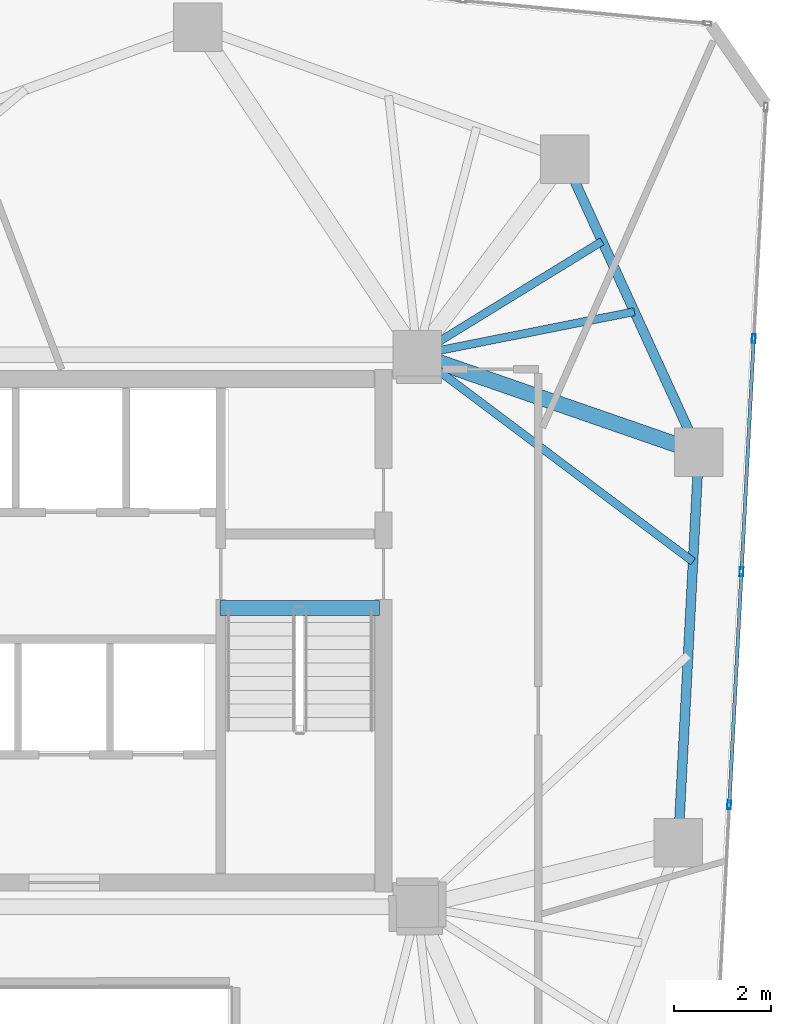
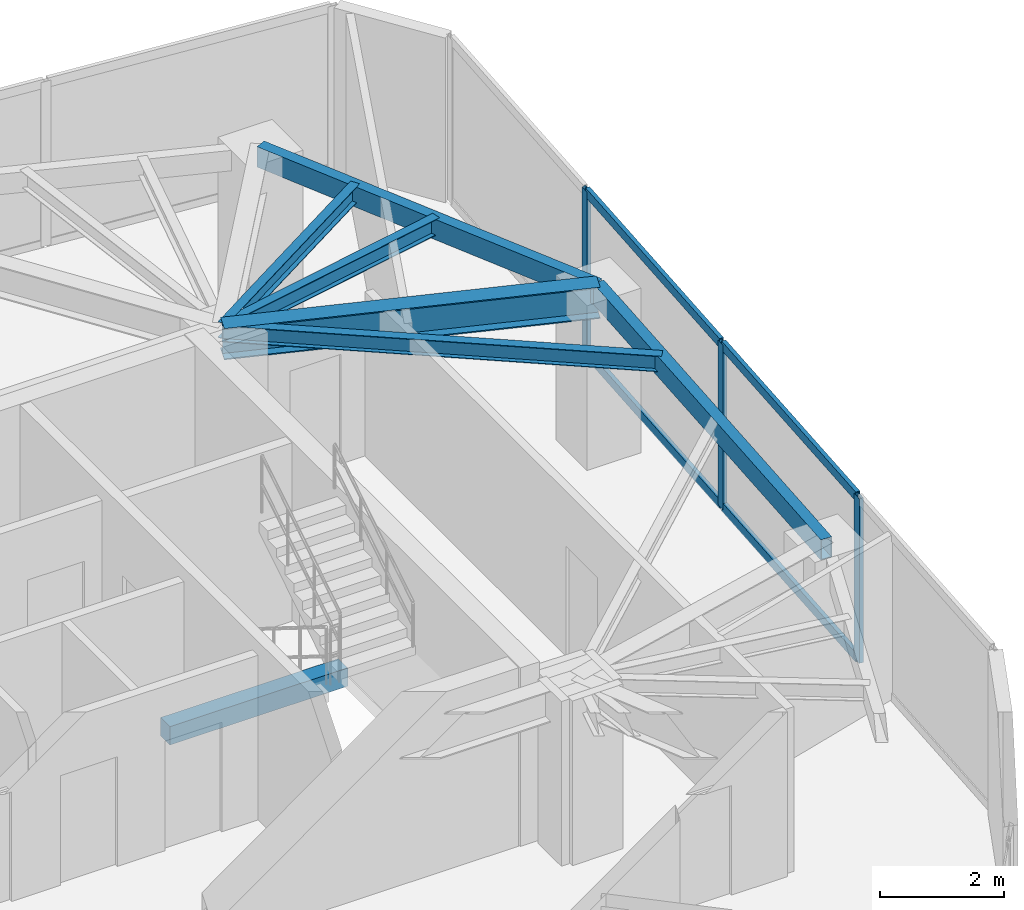
# One storey, part 11 of 19: 7 beams, 7 members, 1 element without a shape of its own.
"""IFC4 building model written with IfcOpenShell, lengths in metres."""

import ifcopenshell
import ifcopenshell.guid

model = None  # the IFC model being written
_history = None  # IfcOwnerHistory: only IFC2X3 demands one
_inside = {}  # id of a spatial element -> (the spatial element, [elements in it])
_under = {}  # id of a project, library or spatial element -> (it, [spatial elements below it])
_declared = {}  # id of a project -> (the project, [libraries it declares])
_typed = {}  # id of a type object -> (the type object, [elements of that type])
_made_of = {}  # id of a material, layer set ... -> (it, [elements and type objects made of it])


def new_model(schema):
    """Start an empty IFC model of exactly this schema.

    Asked for "IFC4X3", IfcOpenShell would pick the latest addendum, in which some entities
    have other attributes; the version numbers below select the first issue.
    IFC2X3 requires an IfcOwnerHistory on every rooted entity: one is made here for all.
    """
    global model, _history
    if schema == "IFC4X3":
        model = ifcopenshell.file(schema_version=(4, 3, 0, 0))
    else:
        model = ifcopenshell.file(schema=schema)
    _inside.clear()
    _under.clear()
    _declared.clear()
    _typed.clear()
    _made_of.clear()
    _history = None
    if model.schema == "IFC2X3":
        org = make("IfcOrganization", Name="unknown")
        user = make(
            "IfcPersonAndOrganization",
            ThePerson=make("IfcPerson", FamilyName="unknown"),
            TheOrganization=org,
        )
        app = make(
            "IfcApplication",
            ApplicationDeveloper=org,
            Version="unknown",
            ApplicationFullName="unknown",
            ApplicationIdentifier="unknown",
        )
        _history = make(
            "IfcOwnerHistory",
            OwningUser=user,
            OwningApplication=app,
            ChangeAction="ADDED",
            CreationDate=0,
        )
    return model


def make(cls, **values):
    """One entity of the class cls with the attributes given. An attribute that is None is left unset."""
    return model.create_entity(
        cls, **{name: value for name, value in values.items() if value is not None}
    )


def rooted(cls, **values):
    """An entity with a GlobalId (a new one), such as an element, a storey or a relation."""
    return make(cls, GlobalId=ifcopenshell.guid.new(), OwnerHistory=_history, **values)


def si_unit(unit_type, name, prefix=None):
    """IfcSIUnit, for example si_unit("LENGTHUNIT", "METRE", prefix="MILLI")."""
    return make("IfcSIUnit", UnitType=unit_type, Prefix=prefix, Name=name)


def assignment(units):
    """IfcUnitAssignment: the units of a project."""
    return None if units is None else make("IfcUnitAssignment", Units=units)


def point(xyz):
    """IfcCartesianPoint."""
    return None if xyz is None else make("IfcCartesianPoint", Coordinates=xyz)


def direction(xyz):
    """IfcDirection."""
    return None if xyz is None else make("IfcDirection", DirectionRatios=xyz)


def frame(location, z_axis=None, x_axis=None):
    """IfcAxis2Placement3D, a coordinate frame: its origin and axes. An axis left out is left unset."""
    return make(
        "IfcAxis2Placement3D",
        Location=point(location),
        Axis=direction(z_axis),
        RefDirection=direction(x_axis),
    )


def frame_2d(location, x_axis=None):
    """IfcAxis2Placement2D, a coordinate frame in the plane: its origin and x axis."""
    return make(
        "IfcAxis2Placement2D", Location=point(location), RefDirection=direction(x_axis)
    )


def origin():
    """The frame at (0, 0, 0) with its axes left unset."""
    return frame((0.0, 0.0, 0.0))


def origin_2d():
    """The frame at (0, 0) in the plane with its x axis left unset."""
    return frame_2d((0.0, 0.0))


def place(relative_to, where):
    """IfcLocalPlacement: puts the frame where relative to a parent placement (None: the world)."""
    return make(
        "IfcLocalPlacement", PlacementRelTo=relative_to, RelativePlacement=where
    )


def context(
    kind, dimensions, precision=None, world=None, true_north=None, identifier=None
):
    """IfcGeometricRepresentationContext, for example the 3D "Model" context."""
    return make(
        "IfcGeometricRepresentationContext",
        ContextIdentifier=identifier,
        ContextType=kind,
        CoordinateSpaceDimension=dimensions,
        Precision=precision,
        WorldCoordinateSystem=world,
        TrueNorth=true_north,
    )


def subcontext(parent, identifier, kind, view, scale=None):
    """IfcGeometricRepresentationSubContext, for example "Body" below "Model"."""
    return make(
        "IfcGeometricRepresentationSubContext",
        ContextIdentifier=identifier,
        ContextType=kind,
        ParentContext=parent,
        TargetScale=scale,
        TargetView=view,
    )


def project(units=None, contexts=None):
    """IfcProject with its units and contexts."""
    return rooted(
        "IfcProject",
        Name="project",
        RepresentationContexts=contexts,
        UnitsInContext=assignment(units),
    )


def spatial(cls, under=None, at=None, **own):
    """A site, building, storey or space (cls), placed at a placement, below another one or the project."""
    s = rooted(cls, ObjectPlacement=at, **own)
    if under is not None:
        _under.setdefault(under.id(), (under, []))[1].append(s)
    return s


def profile(cls, at=None, kind="AREA", **sizes):
    """A parametric profile (cls). Its sizes go by their IFC names, for example OverallWidth=200.0."""
    return make(cls, ProfileType=kind, Position=at, **sizes)


def rectangle(**sizes):
    """IfcRectangleProfileDef."""
    return profile("IfcRectangleProfileDef", **sizes)


def hollow_rectangle(**sizes):
    """IfcRectangleHollowProfileDef."""
    return profile("IfcRectangleHollowProfileDef", **sizes)


def i_section(**sizes):
    """IfcIShapeProfileDef."""
    return profile("IfcIShapeProfileDef", **sizes)


def extrude(swept, where, along, depth):
    """IfcExtrudedAreaSolid: the profile swept, set in the frame where, extruded along a direction by depth."""
    return make(
        "IfcExtrudedAreaSolid",
        SweptArea=swept,
        Position=where,
        ExtrudedDirection=direction(along),
        Depth=depth,
    )


def shape(context_of_items, identifier, shape_type, items):
    """IfcShapeRepresentation: the items that make up one representation, for example the "Body"."""
    return make(
        "IfcShapeRepresentation",
        ContextOfItems=context_of_items,
        RepresentationIdentifier=identifier,
        RepresentationType=shape_type,
        Items=items,
    )


def source(mapping_origin, context_of_items, identifier, shape_type, items):
    """IfcRepresentationMap: a shape defined once, which mapped items show again and again."""
    return make(
        "IfcRepresentationMap",
        MappingOrigin=mapping_origin,
        MappedRepresentation=shape(context_of_items, identifier, shape_type, items),
    )


def transform(
    local_origin,
    x_axis=None,
    y_axis=None,
    z_axis=None,
    scale=None,
    scale2=None,
    scale3=None,
    uniform=True,
):
    """IfcCartesianTransformationOperator3D, or its non-uniform kind. x_axis, y_axis, z_axis: its Axis1, 2, 3."""
    if uniform:
        return make(
            "IfcCartesianTransformationOperator3D",
            Axis1=direction(x_axis),
            Axis2=direction(y_axis),
            LocalOrigin=point(local_origin),
            Scale=scale,
            Axis3=direction(z_axis),
        )
    return make(
        "IfcCartesianTransformationOperator3DnonUniform",
        Axis1=direction(x_axis),
        Axis2=direction(y_axis),
        LocalOrigin=point(local_origin),
        Scale=scale,
        Axis3=direction(z_axis),
        Scale2=scale2,
        Scale3=scale3,
    )


def mapped(mapping_source, mapping_target):
    """IfcMappedItem: shows the shape of a source again, moved by a transform."""
    return make(
        "IfcMappedItem", MappingSource=mapping_source, MappingTarget=mapping_target
    )


def material(Name=None, Category=None):
    """IfcMaterial."""
    return make("IfcMaterial", Name=Name, Category=Category)


def layer(
    of_material, thickness, ventilated=None, Name=None, Category=None, Priority=None
):
    """IfcMaterialLayer: one layer of a wall or slab, of a material (None: an air gap)."""
    return make(
        "IfcMaterialLayer",
        Material=of_material,
        LayerThickness=thickness,
        IsVentilated=ventilated,
        Name=Name,
        Category=Category,
        Priority=Priority,
    )


def layer_set(layers, Name=None):
    """IfcMaterialLayerSet."""
    return make("IfcMaterialLayerSet", MaterialLayers=layers, LayerSetName=Name)


def material_profile(
    of_material, cross_section, Name=None, Category=None, Priority=None
):
    """IfcMaterialProfile: a cross section and its material."""
    return make(
        "IfcMaterialProfile",
        Name=Name,
        Material=of_material,
        Profile=cross_section,
        Priority=Priority,
        Category=Category,
    )


def profile_set(profiles, Name=None, composite=None):
    """IfcMaterialProfileSet."""
    return make(
        "IfcMaterialProfileSet",
        Name=Name,
        MaterialProfiles=profiles,
        CompositeProfile=composite,
    )


def made_of(thing, what):
    """Note that an element or type object is made of a material, layer set ...; save() writes the relation."""
    if what is not None:
        _made_of.setdefault(what.id(), (what, []))[1].append(thing)
    return thing


def type_object(cls, material=None, **own):
    """A type object (cls), such as IfcWallType, which elements share."""
    return made_of(rooted(cls, **own), material)


def type_shapes(of_type, sources):
    """Give a type object the sources (RepresentationMaps) that its elements show as mapped items."""
    of_type.RepresentationMaps = sources


def element(
    cls,
    number,
    at=None,
    inside=None,
    cuts=None,
    type_object=None,
    material=None,
    context=None,
    identifier="Body",
    shape_type=None,
    held_by="IfcProductDefinitionShape",
    body=None,
    shapes=None,
    **own,
):
    """One element of the class cls, such as IfcWall. Its Tag is "e" and its number.

    at: its placement. inside: the storey or other place that contains it. cuts: it is an
    opening in that element (IfcRelVoidsElement). A single representation is given by context,
    identifier, shape_type and body (its items); several are given by shapes. held_by: the class
    of the entity that holds the representations. save() writes the other relations.
    """
    e = rooted(cls, Tag="e%d" % number, ObjectPlacement=at, **own)
    if body is not None:
        shapes = [shape(context, identifier, shape_type, body)]
    if shapes is not None:
        e.Representation = make(held_by, Representations=shapes)
    if inside is not None:
        _inside.setdefault(inside.id(), (inside, []))[1].append(e)
    if cuts is not None:
        rooted(
            "IfcRelVoidsElement", RelatingBuildingElement=cuts, RelatedOpeningElement=e
        )
    if type_object is not None:
        _typed.setdefault(type_object.id(), (type_object, []))[1].append(e)
    return made_of(e, material)


def aggregate(whole, parts):
    """IfcRelAggregates: a whole, such as a stair, and the parts it consists of."""
    return rooted("IfcRelAggregates", RelatingObject=whole, RelatedObjects=parts)


def save(model, path):
    """Write the relations noted so far, then the file.

    IfcRelAggregates (storeys below a building ...), IfcRelContainedInSpatialStructure (elements
    in a storey), IfcRelDefinesByType, IfcRelAssociatesMaterial and IfcRelDeclares: one each for
    every whole, place, type object, material and project.
    """
    for whole, parts in _under.values():
        aggregate(whole, parts)
    for where, things in _inside.values():
        rooted(
            "IfcRelContainedInSpatialStructure",
            RelatedElements=things,
            RelatingStructure=where,
        )
    for kind, things in _typed.values():
        rooted("IfcRelDefinesByType", RelatedObjects=things, RelatingType=kind)
    for what, things in _made_of.values():
        rooted("IfcRelAssociatesMaterial", RelatedObjects=things, RelatingMaterial=what)
    for by, libraries in _declared.values():
        rooted("IfcRelDeclares", RelatingContext=by, RelatedDefinitions=libraries)
    model.write(path)


model = new_model("IFC4")

# Units and contexts
model_context = context("Model", 3, precision=1e-05, world=origin(), true_north=direction((0.0, 1.0)))
body_context = subcontext(model_context, "Body", "Model", "MODEL_VIEW")
ifc_project = project(units=[si_unit("LENGTHUNIT", "METRE"), si_unit("AREAUNIT", "SQUARE_METRE"), si_unit("VOLUMEUNIT", "CUBIC_METRE"), si_unit("PLANEANGLEUNIT", "RADIAN"), si_unit("MASSUNIT", "GRAM", prefix="KILO")], contexts=[model_context])

# Site, building, storey
site_placement = place(None, origin())
site = spatial("IfcSite", under=ifc_project, at=site_placement, CompositionType="ELEMENT")
building_placement = place(site_placement, origin())
building = spatial("IfcBuilding", under=site, at=building_placement, Name="Talar Marvaseh", CompositionType="ELEMENT")
storey_placement = place(building_placement, frame((0.0, 0.0, 218.699951171875)))
storey = spatial("IfcBuildingStorey", under=building, at=storey_placement, Name="L57", CompositionType="ELEMENT", Elevation=218.699951171875)

# Beams
ifc_material_1 = material(Name="Concrete C40/50", Category="concrete")
ifc_material_profile_1 = material_profile(ifc_material_1, rectangle(XDim=0.300048828125, YDim=0.360107421875, at=origin_2d()), Name="RC300x360")
ifc_profile_set_1 = profile_set([ifc_material_profile_1], Name="Concrete C40/50")
beam_type_1 = type_object("IfcBeamType", Name="Concrete Stair Landing Trimmer Beam RC300x360", PredefinedType="SPANDREL", material=ifc_profile_set_1)
beam_1_placement = place(storey_placement, frame((29.219970703125, 31.669921875, -0.179931640625), z_axis=(1.0, 0.0, 0.0), x_axis=(0.0, 1.0, 0.0)))
element("IfcBeam", 1, at=beam_1_placement, inside=storey, type_object=beam_type_1, Name="L57 ST-2 Stair Nosing Trimmer Beam", PredefinedType="SPANDREL", context=body_context, shape_type="SweptSolid", body=[
    extrude(rectangle(XDim=0.300048828125, YDim=0.360107421875, at=origin_2d()), origin(), (0.0, 0.0, 1.0), 3.300048828125),
])
ifc_material_2 = material(Name="Steel S355", Category="steel")
ifc_material_profile_2 = material_profile(ifc_material_2, hollow_rectangle(XDim=0.199951171875, YDim=0.39990234375, WallThickness=0.013916015625, at=origin_2d()), Name="RHS400x200x14")
ifc_profile_set_2 = profile_set([ifc_material_profile_2], Name="Steel S355")
beam_type_2 = type_object("IfcBeamType", Name="Zone 3 Perimeter Spandrel Beam RHS400x200x14", PredefinedType="SPANDREL", material=ifc_profile_set_2)
beam_2_placement = place(storey_placement, frame((36.341064453125, 40.94189453125, 3.030029296875), z_axis=(0.416090570719, -0.909323175202, 0.0), x_axis=(0.909323175202, 0.416090570719, 0.0)))
element("IfcBeam", 2, at=beam_2_placement, inside=storey, type_object=beam_type_2, Name="L57 Zone 3 Perimeter Spandrel Beam RHS400x200x14", PredefinedType="SPANDREL", context=body_context, shape_type="SweptSolid", body=[
    extrude(hollow_rectangle(XDim=0.199951171875, YDim=0.39990234375, WallThickness=0.013916015625, at=origin_2d()), origin(), (0.0, 0.0, 1.0), 6.661865234375),
])
beam_3_placement = place(storey_placement, frame((39.113037109375, 34.884033203125, 3.030029296875), z_axis=(-0.052541369293, -0.998618748328, 0.0), x_axis=(0.998618748328, -0.052541369293, 0.0)))
element("IfcBeam", 3, at=beam_3_placement, inside=storey, type_object=beam_type_2, Name="L57 Zone 3 Perimeter Spandrel Beam RHS400x200x14", PredefinedType="SPANDREL", context=body_context, shape_type="SweptSolid", body=[
    extrude(hollow_rectangle(XDim=0.199951171875, YDim=0.39990234375, WallThickness=0.013916015625, at=origin_2d()), origin(), (0.0, 0.0, 1.0), 8.0712890625),
])
ifc_material_profile_3 = material_profile(ifc_material_2, i_section(OverallWidth=0.324951171875, OverallDepth=0.615966796875, WebThickness=0.013916015625, FlangeThickness=0.021484375, at=origin_2d()), Name="W610x174")
ifc_profile_set_3 = profile_set([ifc_material_profile_3], Name="Steel S355")
beam_type_3 = type_object("IfcBeamType", Name="Zone 3 Radial Floor Girder W610x174", PredefinedType="BEAM", material=ifc_profile_set_3)
beam_4_placement = place(storey_placement, frame((39.113037109375, 34.884033203125, 2.922119140625), z_axis=(-0.94480098975, 0.327644761544, 0.0), x_axis=(-0.327644761544, -0.94480098975, 0.0)))
element("IfcBeam", 4, at=beam_4_placement, inside=storey, type_object=beam_type_3, Name="L57 Zone 3 Radial Floor Girder W610x174", PredefinedType="BEAM", context=body_context, shape_type="SweptSolid", body=[
    extrude(i_section(OverallWidth=0.324951171875, OverallDepth=0.615966796875, WebThickness=0.013916015625, FlangeThickness=0.021484375, at=origin_2d()), origin(), (0.0, 0.0, 1.0), 6.152587890625),
])
ifc_material_profile_4 = material_profile(ifc_material_2, i_section(OverallWidth=0.166015625, OverallDepth=0.31298828125, WebThickness=0.006591796875, FlangeThickness=0.01123046875, at=origin_2d()), Name="W310x45")
ifc_profile_set_4 = profile_set([ifc_material_profile_4], Name="Steel S355")
beam_type_4 = type_object("IfcBeamType", Name="Zone 3 Secondary Floor Joist W310x45", PredefinedType="JOIST", material=ifc_profile_set_4)
beam_5_placement = place(storey_placement, frame((37.1171875, 39.245849609375, 3.073486328125), z_axis=(-0.851963133725, -0.52360177499, 0.0), x_axis=(0.52360177499, -0.851963133725, 0.0)))
element("IfcBeam", 5, at=beam_5_placement, inside=storey, type_object=beam_type_4, Name="L57 Zone 3 Secondary Floor Joist W310x45", PredefinedType="JOIST", context=body_context, shape_type="SweptSolid", body=[
    extrude(i_section(OverallWidth=0.166015625, OverallDepth=0.31298828125, WebThickness=0.006591796875, FlangeThickness=0.01123046875, at=origin_2d()), origin(), (0.0, 0.0, 1.0), 4.48046875),
])
beam_6_placement = place(storey_placement, frame((37.782470703125, 37.791748046875, 3.073486328125), z_axis=(-0.980775375356, -0.195140111447, 0.0), x_axis=(0.195140111447, -0.980775375356, 0.0)))
element("IfcBeam", 6, at=beam_6_placement, inside=storey, type_object=beam_type_4, Name="L57 Zone 3 Secondary Floor Joist W310x45", PredefinedType="JOIST", context=body_context, shape_type="SweptSolid", body=[
    extrude(i_section(OverallWidth=0.166015625, OverallDepth=0.31298828125, WebThickness=0.006591796875, FlangeThickness=0.01123046875, at=origin_2d()), origin(), (0.0, 0.0, 1.0), 4.5703125),
])
beam_7_placement = place(storey_placement, frame((38.994384765625, 32.627197265625, 3.073486328125), z_axis=(-0.799868292589, 0.600175569739, 0.0), x_axis=(-0.600175569739, -0.799868292589, 0.0)))
element("IfcBeam", 7, at=beam_7_placement, inside=storey, type_object=beam_type_4, Name="L57 Zone 3 Secondary Floor Joist W310x45", PredefinedType="JOIST", context=body_context, shape_type="SweptSolid", body=[
    extrude(i_section(OverallWidth=0.166015625, OverallDepth=0.31298828125, WebThickness=0.006591796875, FlangeThickness=0.01123046875, at=origin_2d()), origin(), (0.0, 0.0, 1.0), 7.119140625),
])

# Curtain wall, members
ifc_material_3 = material(Name="Architectural Aluminium", Category="aluminium")
ifc_layer = layer(ifc_material_3, 0.18994140625)
ifc_layer_set = layer_set([ifc_layer], Name="Architectural Aluminium")
curtain_wall_type = type_object("IfcCurtainWallType", Name="Unitised Solar Atelier Curtain Wall Z3", PredefinedType="NOTDEFINED", material=ifc_layer_set)
curtain_wall_placement = place(storey_placement, origin())
curtain_wall = element("IfcCurtainWall", 8, at=curtain_wall_placement, inside=storey, type_object=curtain_wall_type, Name="L57 Unitised Solar Atelier Curtain Wall Z3", PredefinedType="NOTDEFINED")
ifc_material_profile_5 = material_profile(ifc_material_3, hollow_rectangle(XDim=0.074951171875, YDim=0.179931640625, WallThickness=0.0048828125, at=origin_2d()), Name="RHS180x75x5")
ifc_profile_set_5 = profile_set([ifc_material_profile_5], Name="Architectural Aluminium")
member_type_1 = type_object("IfcMemberType", Name="Unitised Curtain Wall Standard Mullion RHS180x75x5", PredefinedType="MULLION", material=ifc_profile_set_5)
shared_shape_1 = source(origin(), body_context, "Body", "SweptSolid", [
    extrude(hollow_rectangle(XDim=0.074951171875, YDim=0.179931640625, WallThickness=0.0048828125, at=origin_2d()), origin(), (0.0, 0.0, 1.0), 3.22998046875),
])
type_shapes(member_type_1, [shared_shape_1])
member_1_placement = place(storey_placement, frame((40.247802734375, 37.234375, 0.0), z_axis=(0.0, 0.0, 1.0), x_axis=(0.998621550515, -0.052488082901, 0.0)))
member_1 = element("IfcMember", 9, at=member_1_placement, type_object=member_type_1, Name="CW-Z3 mullion 2", PredefinedType="MULLION", context=body_context, shape_type="MappedRepresentation", body=[
    mapped(shared_shape_1, transform((0.0, 0.0, 0.0), x_axis=(1.0, 0.0, 0.0), y_axis=(0.0, 1.0, 0.0), z_axis=(0.0, 0.0, 1.0), scale=1.0)),
])
member_2_placement = place(storey_placement, frame((39.99462890625, 32.4189453125, 0.0), z_axis=(0.0, 0.0, 1.0), x_axis=(0.998621550515, -0.052488082901, 0.0)))
member_2 = element("IfcMember", 10, at=member_2_placement, type_object=member_type_1, Name="CW-Z3 mullion 3", PredefinedType="MULLION", context=body_context, shape_type="MappedRepresentation", body=[
    mapped(shared_shape_1, transform((0.0, 0.0, 0.0), x_axis=(1.0, 0.0, 0.0), y_axis=(0.0, 1.0, 0.0), z_axis=(0.0, 0.0, 1.0), scale=1.0)),
])
member_3_placement = place(storey_placement, frame((39.74169921875, 27.603515625, 0.0), z_axis=(0.0, 0.0, 1.0), x_axis=(0.998621550515, -0.052488082901, 0.0)))
member_3 = element("IfcMember", 11, at=member_3_placement, type_object=member_type_1, Name="CW-Z3 mullion 4", PredefinedType="MULLION", context=body_context, shape_type="MappedRepresentation", body=[
    mapped(shared_shape_1, transform((0.0, 0.0, 0.0), x_axis=(1.0, 0.0, 0.0), y_axis=(0.0, 1.0, 0.0), z_axis=(0.0, 0.0, 1.0), scale=1.0)),
])
ifc_material_profile_6 = material_profile(ifc_material_3, hollow_rectangle(XDim=0.074951171875, YDim=0.179931640625, WallThickness=0.0048828125, at=origin_2d()), Name="RHS180x75x5")
ifc_profile_set_6 = profile_set([ifc_material_profile_6], Name="Architectural Aluminium")
member_type_2 = type_object("IfcMemberType", Name="Unitised Curtain Wall Transom RHS180x75x5", PredefinedType="USERDEFINED", material=ifc_profile_set_6)
shared_shape_2 = source(origin(), body_context, "Body", "SweptSolid", [
    extrude(hollow_rectangle(XDim=0.074951171875, YDim=0.179931640625, WallThickness=0.0048828125, at=origin_2d()), origin(), (0.0, 0.0, 1.0), 4.7470703125),
])
type_shapes(member_type_2, [shared_shape_2])
member_4_placement = place(storey_placement, frame((40.245849609375, 37.197021484375, 0.03759765625), z_axis=(-0.052510244299, -0.998620385454, 0.0), x_axis=(0.998620385454, -0.052510244299, 0.0)))
member_4 = element("IfcMember", 12, at=member_4_placement, type_object=member_type_2, Name="CW-Z3 transom 2.1", ObjectType="TRANSOM", PredefinedType="USERDEFINED", context=body_context, shape_type="MappedRepresentation", body=[
    mapped(shared_shape_2, transform((0.0, 0.0, 0.0), x_axis=(1.0, 0.0, 0.0), y_axis=(0.0, 1.0, 0.0), z_axis=(0.0, 0.0, 1.0), scale=1.0)),
])
member_5_placement = place(storey_placement, frame((40.245849609375, 37.197021484375, 3.192626953125), z_axis=(-0.052510244299, -0.998620385454, 0.0), x_axis=(0.998620385454, -0.052510244299, 0.0)))
member_5 = element("IfcMember", 13, at=member_5_placement, type_object=member_type_2, Name="CW-Z3 transom 2.2", ObjectType="TRANSOM", PredefinedType="USERDEFINED", context=body_context, shape_type="MappedRepresentation", body=[
    mapped(shared_shape_2, transform((0.0, 0.0, 0.0), x_axis=(1.0, 0.0, 0.0), y_axis=(0.0, 1.0, 0.0), z_axis=(0.0, 0.0, 1.0), scale=1.0)),
])
member_6_placement = place(storey_placement, frame((39.99267578125, 32.381591796875, 0.03759765625), z_axis=(-0.052458955691, -0.998623081031, 0.0), x_axis=(0.998623081031, -0.052458955691, 0.0)))
member_6 = element("IfcMember", 14, at=member_6_placement, type_object=member_type_2, Name="CW-Z3 transom 3.1", ObjectType="TRANSOM", PredefinedType="USERDEFINED", context=body_context, shape_type="MappedRepresentation", body=[
    mapped(shared_shape_2, transform((0.0, 0.0, 0.0), x_axis=(1.0, 0.0, 0.0), y_axis=(0.0, 1.0, 0.0), z_axis=(0.0, 0.0, 1.0), scale=1.0)),
])
member_7_placement = place(storey_placement, frame((39.99267578125, 32.381591796875, 3.192626953125), z_axis=(-0.052458955691, -0.998623081031, 0.0), x_axis=(0.998623081031, -0.052458955691, 0.0)))
member_7 = element("IfcMember", 15, at=member_7_placement, type_object=member_type_2, Name="CW-Z3 transom 3.2", ObjectType="TRANSOM", PredefinedType="USERDEFINED", context=body_context, shape_type="MappedRepresentation", body=[
    mapped(shared_shape_2, transform((0.0, 0.0, 0.0), x_axis=(1.0, 0.0, 0.0), y_axis=(0.0, 1.0, 0.0), z_axis=(0.0, 0.0, 1.0), scale=1.0)),
])
aggregate(curtain_wall, [member_1, member_2, member_3, member_4, member_5, member_6, member_7])

save(model, "model.ifc")
